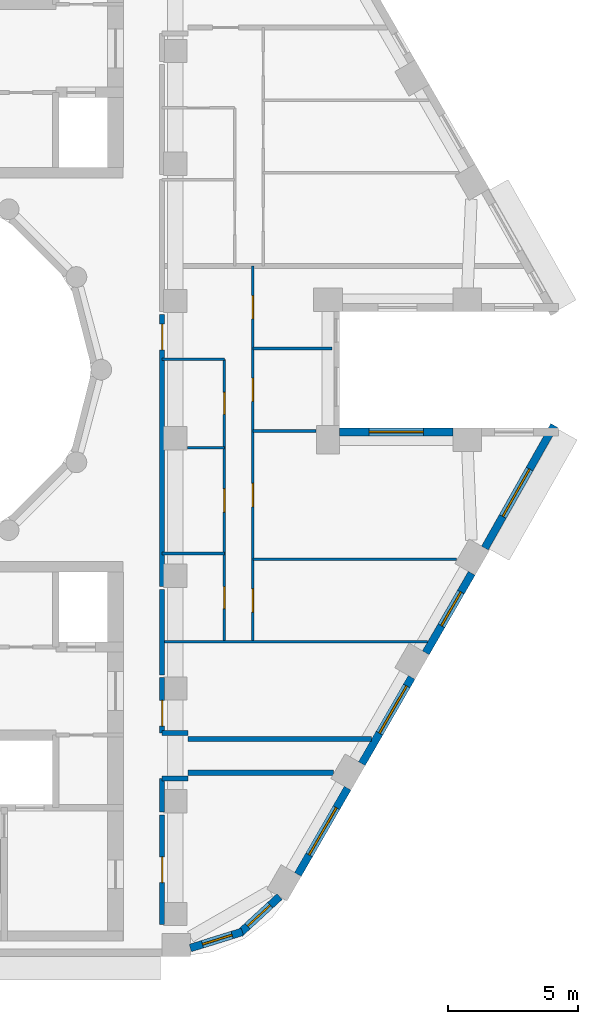
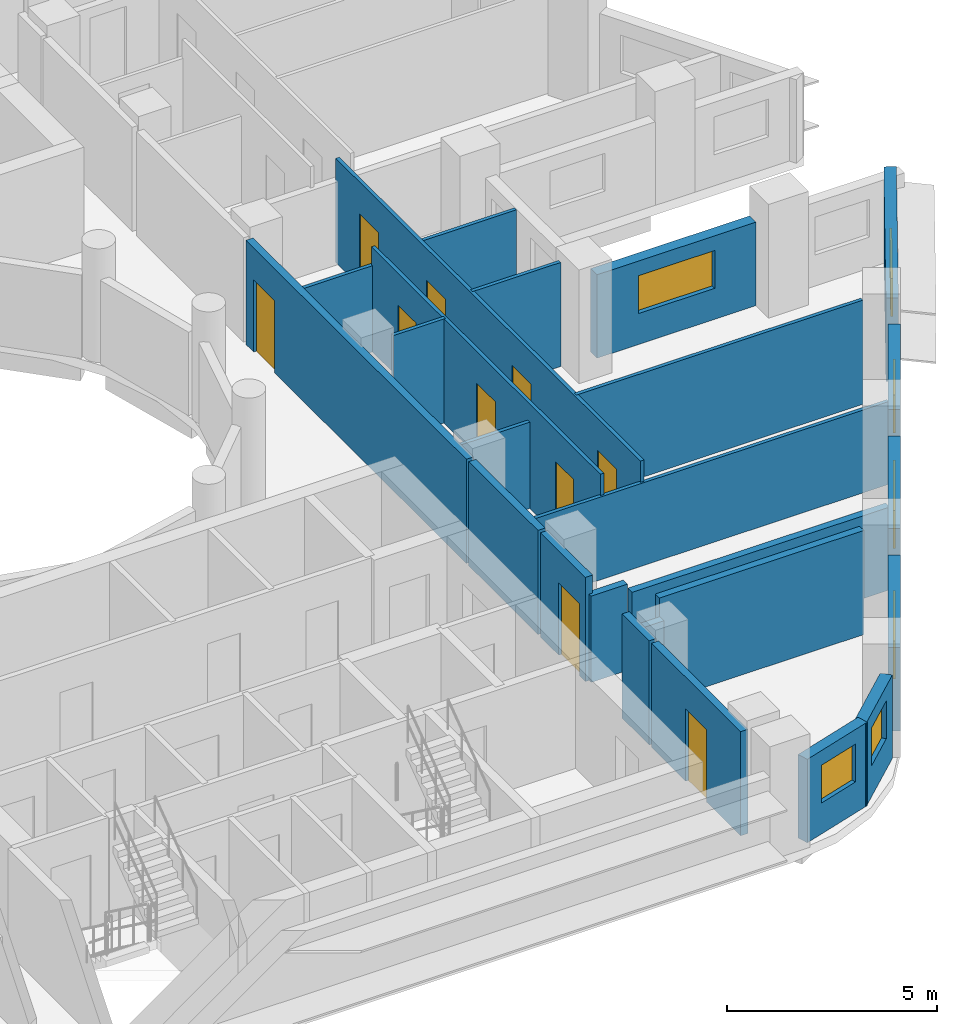
# One storey, part 5 of 12: 25 walls, 10 doors, 7 windows, 17 openings.
"""IFC4 building model written with IfcOpenShell, lengths in metres."""

from ifc_helpers import new_model, si_unit, direction, frame, frame_2d, origin, place, context, subcontext, project, spatial, rectangle, extrude, material, layer, layer_set, type_object, element, fill, save


model = new_model("IFC4")

# Units and contexts
model_context = context("Model", 3, precision=1e-05, world=origin(), true_north=direction((0.0, 1.0)))
body_context = subcontext(model_context, "Body", "Model", "MODEL_VIEW")
ifc_project = project(units=[si_unit("LENGTHUNIT", "METRE"), si_unit("AREAUNIT", "SQUARE_METRE"), si_unit("VOLUMEUNIT", "CUBIC_METRE"), si_unit("PLANEANGLEUNIT", "RADIAN"), si_unit("MASSUNIT", "GRAM", prefix="KILO")], contexts=[model_context])

# Site, building, storey
site_placement = place(None, origin())
site = spatial("IfcSite", under=ifc_project, at=site_placement, CompositionType="ELEMENT")
building_placement = place(site_placement, origin())
building = spatial("IfcBuilding", under=site, at=building_placement, Name="Nakaniwa Court", CompositionType="ELEMENT")
storey_placement = place(building_placement, frame((0.0, 0.0, 255.89990234375)))
storey = spatial("IfcBuildingStorey", under=building, at=storey_placement, Name="L67", CompositionType="ELEMENT", Elevation=255.89990234375)

# Wall, opening, door
ifc_material_1 = material(Name="Acoustic double stud partition")
ifc_layer_1 = layer(ifc_material_1, 0.199951171875)
ifc_layer_set_1 = layer_set([ifc_layer_1], Name="Acoustic double stud partition")
wall_type_1 = type_object("IfcWallType", Name="Acoustic double stud partition 200", PredefinedType="PARTITIONING", material=ifc_layer_set_1)
wall_1_placement = place(storey_placement, frame((89.5, 62.822998046875, 0.0), z_axis=(0.0, 0.0, 1.0), x_axis=(0.0, -1.0, 0.0)))
wall_1 = element("IfcWall", 1, at=wall_1_placement, inside=storey, type_object=wall_type_1, Name="Partition PW-059", PredefinedType="PARTITIONING", context=body_context, shape_type="SweptSolid", body=[
    extrude(rectangle(XDim=4.236083984375, YDim=0.199951171875, at=frame_2d((2.1181640625, 0.0))), origin(), (0.0, 0.0, 1.0), 3.025146484375),
])
opening_1_placement = place(wall_1_placement, frame((1.617919921875, 0.0, 0.0)))
opening_1 = element("IfcOpeningElement", 2, at=opening_1_placement, cuts=wall_1, Name="Opening D-02-01", PredefinedType="OPENING", context=body_context, shape_type="SweptSolid", body=[
    extrude(rectangle(XDim=1.0, YDim=2.10009765625, at=frame_2d((0.5, 1.050048828125))), frame((0.0, 0.10986328125, 0.0), z_axis=(0.0, -1.0, 0.0), x_axis=(1.0, 0.0, 0.0)), (0.0, 0.0, 1.0), 0.219970703125),
])
ifc_material_2 = material(Name="Solid core timber door set, black veneer", Category="wood")
door_type_1 = type_object("IfcDoorType", Name="Internal door 1000", OperationType="NOTDEFINED", PredefinedType="DOOR", material=ifc_material_2)
door_1_placement = place(opening_1_placement, origin())
door_1 = element("IfcDoor", 3, at=door_1_placement, inside=storey, type_object=door_type_1, Name="Door D-02-01 L67-031", OperationType="SINGLE_SWING_RIGHT", OverallHeight=2.10009765625, OverallWidth=1.0, PredefinedType="DOOR", context=body_context, shape_type="SweptSolid", body=[
    extrude(rectangle(XDim=1.0, YDim=2.10009765625, at=frame_2d((0.5, 1.050048828125))), frame((0.0, 0.02490234375, 0.0), z_axis=(0.0, -1.0, 0.0), x_axis=(1.0, 0.0, 0.0)), (0.0, 0.0, 1.0), 0.050048828125),
])
fill(opening_1, door_1)

# Wall
wall_2_placement = place(storey_placement, frame((89.5, 62.93701171875, 0.0), z_axis=(0.0, 0.0, 1.0), x_axis=(0.0, 1.0, 0.0)))
element("IfcWall", 4, at=wall_2_placement, inside=storey, type_object=wall_type_1, Name="Partition PW-060", PredefinedType="PARTITIONING", context=body_context, shape_type="SweptSolid", body=[
    extrude(rectangle(XDim=1.291015625, YDim=0.199951171875, at=frame_2d((0.6455078125, 0.0))), origin(), (0.0, 0.0, 1.0), 3.025146484375),
])

# Wall, opening, door
wall_3_placement = place(storey_placement, frame((89.5, 68.113037109375, 0.0), z_axis=(0.0, 0.0, 1.0), x_axis=(0.0, -1.0, 0.0)))
wall_3 = element("IfcWall", 5, at=wall_3_placement, inside=storey, type_object=wall_type_1, Name="Partition PW-061", PredefinedType="PARTITIONING", context=body_context, shape_type="SweptSolid", body=[
    extrude(rectangle(XDim=2.14111328125, YDim=0.199951171875, at=frame_2d((1.070556640625, 0.0))), origin(), (0.0, 0.0, 1.0), 3.025146484375),
])
opening_2_placement = place(wall_3_placement, frame((0.87109375, 0.0, 0.0)))
opening_2 = element("IfcOpeningElement", 6, at=opening_2_placement, cuts=wall_3, Name="Opening D-02-03", PredefinedType="OPENING", context=body_context, shape_type="SweptSolid", body=[
    extrude(rectangle(XDim=1.0, YDim=2.10009765625, at=frame_2d((0.5, 1.050048828125))), frame((0.0, 0.10986328125, 0.0), z_axis=(0.0, -1.0, 0.0), x_axis=(1.0, 0.0, 0.0)), (0.0, 0.0, 1.0), 0.219970703125),
])
door_2_placement = place(opening_2_placement, origin())
door_2 = element("IfcDoor", 7, at=door_2_placement, inside=storey, type_object=door_type_1, Name="Door D-02-03 L67-059", OperationType="SINGLE_SWING_RIGHT", OverallHeight=2.10009765625, OverallWidth=1.0, PredefinedType="DOOR", context=body_context, shape_type="SweptSolid", body=[
    extrude(rectangle(XDim=1.0, YDim=2.10009765625, at=frame_2d((0.5, 1.050048828125))), frame((0.0, 0.02490234375, 0.0), z_axis=(0.0, -1.0, 0.0), x_axis=(1.0, 0.0, 0.0)), (0.0, 0.0, 1.0), 0.050048828125),
])
fill(opening_2, door_2)

# Wall
wall_4_placement = place(storey_placement, frame((89.5, 68.22705078125, 0.0), z_axis=(0.0, 0.0, 1.0), x_axis=(0.0, 1.0, 0.0)))
element("IfcWall", 8, at=wall_4_placement, inside=storey, type_object=wall_type_1, Name="Partition PW-062", PredefinedType="PARTITIONING", context=body_context, shape_type="SweptSolid", body=[
    extrude(rectangle(XDim=3.2958984375, YDim=0.199951171875, at=frame_2d((1.64794921875, 0.0))), origin(), (0.0, 0.0, 1.0), 3.025146484375),
])

# Wall, opening, door
wall_5_placement = place(storey_placement, frame((89.5, 82.123046875, 0.0), z_axis=(0.0, 0.0, 1.0), x_axis=(0.0, -1.0, 0.0)))
wall_5 = element("IfcWall", 9, at=wall_5_placement, inside=storey, type_object=wall_type_1, Name="Partition PW-063", PredefinedType="PARTITIONING", context=body_context, shape_type="SweptSolid", body=[
    extrude(rectangle(XDim=10.486083984375, YDim=0.199951171875, at=frame_2d((5.2431640625, 0.0))), origin(), (0.0, 0.0, 1.0), 3.025146484375),
])
opening_3_placement = place(wall_5_placement, frame((0.363037109375, 0.0, 0.0)))
opening_3 = element("IfcOpeningElement", 10, at=opening_3_placement, cuts=wall_5, Name="Opening D-01-01", PredefinedType="OPENING", context=body_context, shape_type="SweptSolid", body=[
    extrude(rectangle(XDim=1.0, YDim=2.10009765625, at=frame_2d((0.5, 1.050048828125))), frame((0.0, 0.10986328125, 0.0), z_axis=(0.0, -1.0, 0.0), x_axis=(1.0, 0.0, 0.0)), (0.0, 0.0, 1.0), 0.219970703125),
])
door_type_2 = type_object("IfcDoorType", Name="Flat entrance door 1000", OperationType="NOTDEFINED", PredefinedType="DOOR", material=ifc_material_2)
door_3_placement = place(opening_3_placement, origin())
door_3 = element("IfcDoor", 11, at=door_3_placement, inside=storey, type_object=door_type_2, Name="Door D-01-01 L67-032", OperationType="SINGLE_SWING_LEFT", OverallHeight=2.10009765625, OverallWidth=1.0, PredefinedType="DOOR", context=body_context, shape_type="SweptSolid", body=[
    extrude(rectangle(XDim=1.0, YDim=2.10009765625, at=frame_2d((0.5, 1.050048828125))), frame((0.0, 0.02490234375, 0.0), z_axis=(0.0, -1.0, 0.0), x_axis=(1.0, 0.0, 0.0)), (0.0, 0.0, 1.0), 0.050048828125),
])
fill(opening_3, door_3)

# Walls
wall_6_placement = place(storey_placement, frame((90.5, 64.449951171875, 0.0), z_axis=(0.0, 0.0, 1.0), x_axis=(1.0, 0.0, 0.0)))
element("IfcWall", 12, at=wall_6_placement, inside=storey, type_object=wall_type_1, Name="Partition PW-079", PredefinedType="PARTITIONING", context=body_context, shape_type="SweptSolid", body=[
    extrude(rectangle(XDim=5.61669921875, YDim=0.199951171875, at=frame_2d((2.808349609375, 0.0))), origin(), (0.0, 0.0, 1.0), 3.025146484375),
])
for number, where, z_axis, x_axis, name in (
    (13, (89.5, 64.22509765625, 0.0), (0.0, 0.0, 1.0), (1.0, 0.0, 0.0), "Partition PW-081"),
    (14, (89.5, 65.97509765625, 0.0), (0.0, 0.0, 1.0), (1.0, 0.0, 0.0), "Partition PW-083"),
):
    element("IfcWall", number, at=place(storey_placement, frame(where, z_axis=z_axis, x_axis=x_axis)), inside=storey, type_object=wall_type_1, Name=name, PredefinedType="PARTITIONING", context=body_context, shape_type="SweptSolid", body=[
        extrude(rectangle(XDim=1.0, YDim=0.199951171875, at=frame_2d((0.5, 0.0))), origin(), (0.0, 0.0, 1.0), 2.505126953125),
    ])
wall_7_placement = place(storey_placement, frame((90.5, 65.75, 0.0), z_axis=(0.0, 0.0, 1.0), x_axis=(1.0, 0.0, 0.0)))
element("IfcWall", 15, at=wall_7_placement, inside=storey, type_object=wall_type_1, Name="Partition PW-085", PredefinedType="PARTITIONING", context=body_context, shape_type="SweptSolid", body=[
    extrude(rectangle(XDim=7.080322265625, YDim=0.199951171875, at=frame_2d((3.5400390625, 0.0))), origin(), (0.0, 0.0, 1.0), 2.405029296875),
])

# Wall, opening, window
ifc_material_3 = material(Name="Charcoal ceramic cladding")
ifc_layer_2 = layer(ifc_material_3, 0.02, Name="Ceramic cladding")
ifc_material_4 = material(Name="Ventilated air cavity")
ifc_layer_3 = layer(ifc_material_4, 0.04, ventilated=True, Name="Ventilated cavity")
ifc_material_5 = material(Name="Mineral wool insulation")
ifc_layer_4 = layer(ifc_material_5, 0.1, Name="Insulation")
ifc_material_6 = material(Name="Cement bonded sheathing board")
ifc_layer_5 = layer(ifc_material_6, 0.012, Name="Sheathing")
ifc_material_7 = material(Name="Cold-formed galvanised stud frame with mineral wool infill")
ifc_layer_6 = layer(ifc_material_7, 0.1, Name="Stud frame")
ifc_material_8 = material(Name="Fire-rated gypsum plasterboard lining")
ifc_layer_7 = layer(ifc_material_8, 0.028, Name="Lining")
ifc_layer_set_2 = layer_set([ifc_layer_2, ifc_layer_3, ifc_layer_4, ifc_layer_5, ifc_layer_6, ifc_layer_7], Name="Charcoal ceramic faced external wall system")
wall_type_2 = type_object("IfcWallType", Name="Black ceramic faced external wall 300", PredefinedType="SOLIDWALL", material=ifc_layer_set_2)
wall_8_placement = place(storey_placement, frame((90.585693359375, 57.68408203125, 0.0), z_axis=(0.0, 0.0, 1.0), x_axis=(0.954941641926, 0.296793632875, 0.0)))
wall_8 = element("IfcWall", 16, at=wall_8_placement, inside=storey, type_object=wall_type_2, Name="L67 external wall 27", PredefinedType="SOLIDWALL", context=body_context, shape_type="SweptSolid", body=[
    extrude(rectangle(XDim=2.1025390625, YDim=0.300048828125, at=frame_2d((1.05126953125, 0.0))), origin(), (0.0, 0.0, 1.0), 2.425048828125),
])
opening_4_placement = place(wall_8_placement, frame((0.490234375, 0.0, 0.89990234375)))
opening_4 = element("IfcOpeningElement", 17, at=opening_4_placement, cuts=wall_8, Name="Opening W6.28", PredefinedType="OPENING", context=body_context, shape_type="SweptSolid", body=[
    extrude(rectangle(XDim=1.199951171875, YDim=1.10009765625, at=frame_2d((0.60009765625, 0.550048828125))), frame((0.0, 0.159912109375, 0.0), z_axis=(0.0, -1.0, 0.0), x_axis=(1.0, 0.0, 0.0)), (0.0, 0.0, 1.0), 0.320068359375),
])
ifc_material_9 = material(Name="Black anodised aluminium frame with dark low-E laminated double glazing", Category="aluminium")
window_type_1 = type_object("IfcWindowType", Name="Dark glass window 1200x1100 sill 900", PartitioningType="SINGLE_PANEL", PredefinedType="WINDOW", material=ifc_material_9)
window_1_placement = place(opening_4_placement, origin())
window_1 = element("IfcWindow", 18, at=window_1_placement, inside=storey, type_object=window_type_1, Name="L67 habitable room window 27-0", OverallHeight=1.10009765625, OverallWidth=1.199951171875, PartitioningType="SINGLE_PANEL", PredefinedType="WINDOW", context=body_context, shape_type="SweptSolid", body=[
    extrude(rectangle(XDim=1.199951171875, YDim=1.10009765625, at=frame_2d((0.60009765625, 0.550048828125))), frame((0.0, 0.030029296875, 0.0), z_axis=(0.0, -1.0, 0.0), x_axis=(1.0, 0.0, 0.0)), (0.0, 0.0, 1.0), 0.06005859375),
])
fill(opening_4, window_1)

wall_9_placement = place(storey_placement, frame((92.489501953125, 58.247314453125, 0.0), z_axis=(0.0, 0.0, 1.0), x_axis=(0.734830223907, 0.678251090698, 0.0)))
wall_9 = element("IfcWall", 19, at=wall_9_placement, inside=storey, type_object=wall_type_2, Name="L67 external wall 28", PredefinedType="SOLIDWALL", context=body_context, shape_type="SweptSolid", body=[
    extrude(rectangle(XDim=2.09716796875, YDim=0.300048828125, at=frame_2d((1.048583984375, 0.0))), origin(), (0.0, 0.0, 1.0), 2.425048828125),
])
opening_5_placement = place(wall_9_placement, frame((0.409423828125, 0.0, 0.89990234375)))
opening_5 = element("IfcOpeningElement", 20, at=opening_5_placement, cuts=wall_9, Name="Opening W6.29", PredefinedType="OPENING", context=body_context, shape_type="SweptSolid", body=[
    extrude(rectangle(XDim=1.199951171875, YDim=1.10009765625, at=frame_2d((0.60009765625, 0.550048828125))), frame((0.0, 0.159912109375, 0.0), z_axis=(0.0, -1.0, 0.0), x_axis=(1.0, 0.0, 0.0)), (0.0, 0.0, 1.0), 0.320068359375),
])
window_2_placement = place(opening_5_placement, origin())
window_2 = element("IfcWindow", 21, at=window_2_placement, inside=storey, type_object=window_type_1, Name="L67 habitable room window 28-0", OverallHeight=1.10009765625, OverallWidth=1.199951171875, PartitioningType="SINGLE_PANEL", PredefinedType="WINDOW", context=body_context, shape_type="SweptSolid", body=[
    extrude(rectangle(XDim=1.199951171875, YDim=1.10009765625, at=frame_2d((0.60009765625, 0.550048828125))), frame((0.0, 0.030029296875, 0.0), z_axis=(0.0, -1.0, 0.0), x_axis=(1.0, 0.0, 0.0)), (0.0, 0.0, 1.0), 0.06005859375),
])
fill(opening_5, window_2)

wall_10_placement = place(storey_placement, frame((94.73583984375, 60.523193359375, 0.0), z_axis=(0.0, 0.0, 1.0), x_axis=(0.499984490703, 0.866034357896, 0.0)))
wall_10 = element("IfcWall", 22, at=wall_10_placement, inside=storey, type_object=wall_type_2, Name="L67 external wall 29", PredefinedType="SOLIDWALL", context=body_context, shape_type="SweptSolid", body=[
    extrude(rectangle(XDim=3.84423828125, YDim=0.300048828125, at=frame_2d((1.922119140625, 0.0))), origin(), (0.0, 0.0, 1.0), 2.425048828125),
])
opening_6_placement = place(wall_10_placement, frame((0.872314453125, 0.0, 0.89990234375)))
opening_6 = element("IfcOpeningElement", 23, at=opening_6_placement, cuts=wall_10, Name="Opening W7.30", PredefinedType="OPENING", context=body_context, shape_type="SweptSolid", body=[
    extrude(rectangle(XDim=2.10009765625, YDim=1.10009765625, at=frame_2d((1.050048828125, 0.550048828125))), frame((0.0, 0.159912109375, 0.0), z_axis=(0.0, -1.0, 0.0), x_axis=(1.0, 0.0, 0.0)), (0.0, 0.0, 1.0), 0.320068359375),
])
window_type_2 = type_object("IfcWindowType", Name="Dark glass window 2100x1100 sill 900", PartitioningType="SINGLE_PANEL", PredefinedType="WINDOW", material=ifc_material_9)
window_3_placement = place(opening_6_placement, origin())
window_3 = element("IfcWindow", 24, at=window_3_placement, inside=storey, type_object=window_type_2, Name="L67 habitable room window 29-0", OverallHeight=1.10009765625, OverallWidth=2.10009765625, PartitioningType="SINGLE_PANEL", PredefinedType="WINDOW", context=body_context, shape_type="SweptSolid", body=[
    extrude(rectangle(XDim=2.10009765625, YDim=1.10009765625, at=frame_2d((1.050048828125, 0.550048828125))), frame((0.0, 0.030029296875, 0.0), z_axis=(0.0, -1.0, 0.0), x_axis=(1.0, 0.0, 0.0)), (0.0, 0.0, 1.0), 0.06005859375),
])
fill(opening_6, window_3)

wall_11_placement = place(storey_placement, frame((97.2041015625, 64.798095703125, 0.0), z_axis=(0.0, 0.0, 1.0), x_axis=(0.499984490703, 0.866034357896, 0.0)))
wall_11 = element("IfcWall", 25, at=wall_11_placement, inside=storey, type_object=wall_type_2, Name="L67 external wall 30", PredefinedType="SOLIDWALL", context=body_context, shape_type="SweptSolid", body=[
    extrude(rectangle(XDim=3.84423828125, YDim=0.300048828125, at=frame_2d((1.922119140625, 0.0))), origin(), (0.0, 0.0, 1.0), 2.425048828125),
])
opening_7_placement = place(wall_11_placement, frame((1.360595703125, 0.0, 0.89990234375)))
opening_7 = element("IfcOpeningElement", 26, at=opening_7_placement, cuts=wall_11, Name="Opening W7.31", PredefinedType="OPENING", context=body_context, shape_type="SweptSolid", body=[
    extrude(rectangle(XDim=2.10009765625, YDim=1.10009765625, at=frame_2d((1.050048828125, 0.550048828125))), frame((0.0, 0.159912109375, 0.0), z_axis=(0.0, -1.0, 0.0), x_axis=(1.0, 0.0, 0.0)), (0.0, 0.0, 1.0), 0.320068359375),
])
window_4_placement = place(opening_7_placement, origin())
window_4 = element("IfcWindow", 27, at=window_4_placement, inside=storey, type_object=window_type_2, Name="L67 habitable room window 30-1", OverallHeight=1.10009765625, OverallWidth=2.10009765625, PartitioningType="SINGLE_PANEL", PredefinedType="WINDOW", context=body_context, shape_type="SweptSolid", body=[
    extrude(rectangle(XDim=2.10009765625, YDim=1.10009765625, at=frame_2d((1.050048828125, 0.550048828125))), frame((0.0, 0.030029296875, 0.0), z_axis=(0.0, -1.0, 0.0), x_axis=(1.0, 0.0, 0.0)), (0.0, 0.0, 1.0), 0.06005859375),
])
fill(opening_7, window_4)

wall_12_placement = place(storey_placement, frame((99.672119140625, 69.072998046875, 0.0), z_axis=(0.0, 0.0, 1.0), x_axis=(0.500010404316, 0.866019396766, 0.0)))
wall_12 = element("IfcWall", 28, at=wall_12_placement, inside=storey, type_object=wall_type_2, Name="L67 external wall 31", PredefinedType="SOLIDWALL", context=body_context, shape_type="SweptSolid", body=[
    extrude(rectangle(XDim=3.54736328125, YDim=0.300048828125, at=frame_2d((1.773681640625, 0.0))), origin(), (0.0, 0.0, 1.0), 2.425048828125),
])
opening_8_placement = place(wall_12_placement, frame((1.208984375, 0.0, 0.89990234375)))
opening_8 = element("IfcOpeningElement", 29, at=opening_8_placement, cuts=wall_12, Name="Opening W5.32", PredefinedType="OPENING", context=body_context, shape_type="SweptSolid", body=[
    extrude(rectangle(XDim=1.5, YDim=1.10009765625, at=frame_2d((0.75, 0.550048828125))), frame((0.0, 0.159912109375, 0.0), z_axis=(0.0, -1.0, 0.0), x_axis=(1.0, 0.0, 0.0)), (0.0, 0.0, 1.0), 0.320068359375),
])
window_type_3 = type_object("IfcWindowType", Name="Dark glass window 1500x1100 sill 900", PartitioningType="SINGLE_PANEL", PredefinedType="WINDOW", material=ifc_material_9)
window_5_placement = place(opening_8_placement, origin())
window_5 = element("IfcWindow", 30, at=window_5_placement, inside=storey, type_object=window_type_3, Name="L67 bedroom window 31-1", OverallHeight=1.10009765625, OverallWidth=1.5, PartitioningType="SINGLE_PANEL", PredefinedType="WINDOW", context=body_context, shape_type="SweptSolid", body=[
    extrude(rectangle(XDim=1.5, YDim=1.10009765625, at=frame_2d((0.75, 0.550048828125))), frame((0.0, 0.030029296875, 0.0), z_axis=(0.0, -1.0, 0.0), x_axis=(1.0, 0.0, 0.0)), (0.0, 0.0, 1.0), 0.06005859375),
])
fill(opening_8, window_5)

wall_13_placement = place(storey_placement, frame((101.951904296875, 73.113525390625, 0.0), z_axis=(0.0, 0.0, 1.0), x_axis=(0.492080931903, 0.870549456641, 0.0)))
wall_13 = element("IfcWall", 31, at=wall_13_placement, inside=storey, type_object=wall_type_2, Name="L67 external wall 32", PredefinedType="SOLIDWALL", context=body_context, shape_type="SweptSolid", body=[
    extrude(rectangle(XDim=5.436767578125, YDim=0.300048828125, at=frame_2d((2.71826171875, 0.0))), origin(), (0.0, 0.0, 1.0), 2.425048828125),
])
opening_9_placement = place(wall_13_placement, frame((1.405517578125, 0.0, 0.89990234375)))
opening_9 = element("IfcOpeningElement", 32, at=opening_9_placement, cuts=wall_13, Name="Opening W7.33", PredefinedType="OPENING", context=body_context, shape_type="SweptSolid", body=[
    extrude(rectangle(XDim=2.10009765625, YDim=1.10009765625, at=frame_2d((1.050048828125, 0.550048828125))), frame((0.0, 0.159912109375, 0.0), z_axis=(0.0, -1.0, 0.0), x_axis=(1.0, 0.0, 0.0)), (0.0, 0.0, 1.0), 0.320068359375),
])
window_6_placement = place(opening_9_placement, origin())
window_6 = element("IfcWindow", 33, at=window_6_placement, inside=storey, type_object=window_type_2, Name="L67 living window 32-0", OverallHeight=1.10009765625, OverallWidth=2.10009765625, PartitioningType="SINGLE_PANEL", PredefinedType="WINDOW", context=body_context, shape_type="SweptSolid", body=[
    extrude(rectangle(XDim=2.10009765625, YDim=1.10009765625, at=frame_2d((1.050048828125, 0.550048828125))), frame((0.0, 0.030029296875, 0.0), z_axis=(0.0, -1.0, 0.0), x_axis=(1.0, 0.0, 0.0)), (0.0, 0.0, 1.0), 0.06005859375),
])
fill(opening_9, window_6)

wall_14_placement = place(storey_placement, frame((100.718017578125, 77.60009765625, 0.0), z_axis=(0.0, 0.0, 1.0), x_axis=(-1.0, 0.0, 0.0)))
wall_14 = element("IfcWall", 34, at=wall_14_placement, inside=storey, type_object=wall_type_2, Name="L67 external wall 34", PredefinedType="SOLIDWALL", context=body_context, shape_type="SweptSolid", body=[
    extrude(rectangle(XDim=4.37255859375, YDim=0.300048828125, at=frame_2d((2.186279296875, 0.0))), origin(), (0.0, 0.0, 1.0), 2.425048828125),
])
opening_10_placement = place(wall_14_placement, frame((1.13623046875, 0.0, 0.89990234375)))
opening_10 = element("IfcOpeningElement", 35, at=opening_10_placement, cuts=wall_14, Name="Opening W7.35", PredefinedType="OPENING", context=body_context, shape_type="SweptSolid", body=[
    extrude(rectangle(XDim=2.10009765625, YDim=1.10009765625, at=frame_2d((1.050048828125, 0.550048828125))), frame((0.0, 0.159912109375, 0.0), z_axis=(0.0, -1.0, 0.0), x_axis=(1.0, 0.0, 0.0)), (0.0, 0.0, 1.0), 0.320068359375),
])
window_7_placement = place(opening_10_placement, origin())
window_7 = element("IfcWindow", 36, at=window_7_placement, inside=storey, type_object=window_type_2, Name="L67 living window 34-0", OverallHeight=1.10009765625, OverallWidth=2.10009765625, PartitioningType="SINGLE_PANEL", PredefinedType="WINDOW", context=body_context, shape_type="SweptSolid", body=[
    extrude(rectangle(XDim=2.10009765625, YDim=1.10009765625, at=frame_2d((1.050048828125, 0.550048828125))), frame((0.0, 0.030029296875, 0.0), z_axis=(0.0, -1.0, 0.0), x_axis=(1.0, 0.0, 0.0)), (0.0, 0.0, 1.0), 0.06005859375),
])
fill(opening_10, window_7)

# Wall
ifc_material_10 = material(Name="Single stud plasterboard partition")
ifc_layer_8 = layer(ifc_material_10, 0.10009765625)
ifc_layer_set_3 = layer_set([ifc_layer_8], Name="Single stud plasterboard partition")
wall_type_3 = type_object("IfcWallType", Name="Single stud plasterboard partition 100", PredefinedType="PARTITIONING", material=ifc_layer_set_3)
wall_15_placement = place(storey_placement, frame((89.5, 72.906005859375, 0.0), z_axis=(0.0, 0.0, 1.0), x_axis=(1.0, 0.0, 0.0)))
element("IfcWall", 37, at=wall_15_placement, inside=storey, type_object=wall_type_3, Name="Partition PW-096", PredefinedType="PARTITIONING", context=body_context, shape_type="SweptSolid", body=[
    extrude(rectangle(XDim=2.39990234375, YDim=0.10009765625, at=frame_2d((1.199951171875, 0.0))), origin(), (0.0, 0.0, 1.0), 2.505126953125),
])

# Wall, openings, doors
wall_16_placement = place(storey_placement, frame((91.89990234375, 69.5, 0.0), z_axis=(0.0, 0.0, 1.0), x_axis=(0.0, 1.0, 0.0)))
wall_16 = element("IfcWall", 38, at=wall_16_placement, inside=storey, type_object=wall_type_3, Name="Partition PW-097", PredefinedType="PARTITIONING", context=body_context, shape_type="SweptSolid", body=[
    extrude(rectangle(XDim=10.89990234375, YDim=0.10009765625, at=frame_2d((5.449951171875, 0.0))), origin(), (0.0, 0.0, 1.0), 3.025146484375),
])
opening_11_placement = place(wall_16_placement, frame((1.278076171875, 0.0, 0.0)))
opening_11 = element("IfcOpeningElement", 39, at=opening_11_placement, cuts=wall_16, Name="Opening D-03-01", PredefinedType="OPENING", context=body_context, shape_type="SweptSolid", body=[
    extrude(rectangle(XDim=0.85009765625, YDim=2.10009765625, at=frame_2d((0.425048828125, 1.050048828125))), frame((0.0, 0.06005859375, 0.0), z_axis=(0.0, -1.0, 0.0), x_axis=(1.0, 0.0, 0.0)), (0.0, 0.0, 1.0), 0.1201171875),
])
opening_12_placement = place(wall_16_placement, frame((5.0, 0.0, 0.0)))
opening_12 = element("IfcOpeningElement", 40, at=opening_12_placement, cuts=wall_16, Name="Opening D-33-01", PredefinedType="OPENING", context=body_context, shape_type="SweptSolid", body=[
    extrude(rectangle(XDim=0.89990234375, YDim=2.10009765625, at=frame_2d((0.449951171875, 1.050048828125))), frame((0.0, 0.06005859375, 0.0), z_axis=(0.0, -1.0, 0.0), x_axis=(1.0, 0.0, 0.0)), (0.0, 0.0, 1.0), 0.1201171875),
])
opening_13_placement = place(wall_16_placement, frame((8.77197265625, 0.0, 0.0)))
opening_13 = element("IfcOpeningElement", 41, at=opening_13_placement, cuts=wall_16, Name="Opening D-03-02", PredefinedType="OPENING", context=body_context, shape_type="SweptSolid", body=[
    extrude(rectangle(XDim=0.85009765625, YDim=2.10009765625, at=frame_2d((0.425048828125, 1.050048828125))), frame((0.0, 0.06005859375, 0.0), z_axis=(0.0, -1.0, 0.0), x_axis=(1.0, 0.0, 0.0)), (0.0, 0.0, 1.0), 0.1201171875),
])
ifc_material_11 = material(Name="Moisture sealed timber door set", Category="wood")
door_type_3 = type_object("IfcDoorType", Name="Bathroom door 850", OperationType="NOTDEFINED", PredefinedType="DOOR", material=ifc_material_11)
door_4_placement = place(opening_11_placement, origin())
door_4 = element("IfcDoor", 42, at=door_4_placement, inside=storey, type_object=door_type_3, Name="Door D-03-01 L67-033", OperationType="SINGLE_SWING_RIGHT", OverallHeight=2.10009765625, OverallWidth=0.85009765625, PredefinedType="DOOR", context=body_context, shape_type="SweptSolid", body=[
    extrude(rectangle(XDim=0.85009765625, YDim=2.10009765625, at=frame_2d((0.425048828125, 1.050048828125))), frame((0.0, 0.02490234375, 0.0), z_axis=(0.0, -1.0, 0.0), x_axis=(1.0, 0.0, 0.0)), (0.0, 0.0, 1.0), 0.050048828125),
])
fill(opening_11, door_4)
door_5_placement = place(opening_13_placement, origin())
door_5 = element("IfcDoor", 43, at=door_5_placement, inside=storey, type_object=door_type_3, Name="Door D-03-02 L67-035", OperationType="SINGLE_SWING_RIGHT", OverallHeight=2.10009765625, OverallWidth=0.85009765625, PredefinedType="DOOR", context=body_context, shape_type="SweptSolid", body=[
    extrude(rectangle(XDim=0.85009765625, YDim=2.10009765625, at=frame_2d((0.425048828125, 1.050048828125))), frame((0.0, 0.02490234375, 0.0), z_axis=(0.0, -1.0, 0.0), x_axis=(1.0, 0.0, 0.0)), (0.0, 0.0, 1.0), 0.050048828125),
])
fill(opening_13, door_5)
door_type_4 = type_object("IfcDoorType", Name="Internal door 900", OperationType="NOTDEFINED", PredefinedType="DOOR", material=ifc_material_2)
door_6_placement = place(opening_12_placement, origin())
door_6 = element("IfcDoor", 44, at=door_6_placement, inside=storey, type_object=door_type_4, Name="Door D-33-01 L67-034", OperationType="SINGLE_SWING_LEFT", OverallHeight=2.10009765625, OverallWidth=0.89990234375, PredefinedType="DOOR", context=body_context, shape_type="SweptSolid", body=[
    extrude(rectangle(XDim=0.89990234375, YDim=2.10009765625, at=frame_2d((0.449951171875, 1.050048828125))), frame((0.0, 0.02490234375, 0.0), z_axis=(0.0, -1.0, 0.0), x_axis=(1.0, 0.0, 0.0)), (0.0, 0.0, 1.0), 0.050048828125),
])
fill(opening_12, door_6)

# Walls
wall_17_placement = place(storey_placement, frame((89.5, 69.5, 0.0), z_axis=(0.0, 0.0, 1.0), x_axis=(1.0, 0.0, 0.0)))
element("IfcWall", 45, at=wall_17_placement, inside=storey, type_object=wall_type_3, Name="Partition PW-098", PredefinedType="PARTITIONING", context=body_context, shape_type="SweptSolid", body=[
    extrude(rectangle(XDim=10.245361328125, YDim=0.10009765625, at=frame_2d((5.12255859375, 0.0))), origin(), (0.0, 0.0, 1.0), 2.405029296875),
])
wall_18_placement = place(storey_placement, frame((90.469970703125, 76.993896484375, 0.0), z_axis=(0.0, 0.0, 1.0), x_axis=(1.0, 0.0, 0.0)))
element("IfcWall", 46, at=wall_18_placement, inside=storey, type_object=wall_type_3, Name="Partition PW-099", PredefinedType="PARTITIONING", context=body_context, shape_type="SweptSolid", body=[
    extrude(rectangle(XDim=1.429931640625, YDim=0.10009765625, at=frame_2d((0.71484375, 0.0))), origin(), (0.0, 0.0, 1.0), 3.025146484375),
])
wall_19_placement = place(storey_placement, frame((89.5, 80.39990234375, 0.0), z_axis=(0.0, 0.0, 1.0), x_axis=(1.0, 0.0, 0.0)))
element("IfcWall", 47, at=wall_19_placement, inside=storey, type_object=wall_type_3, Name="Partition PW-100", PredefinedType="PARTITIONING", context=body_context, shape_type="SweptSolid", body=[
    extrude(rectangle(XDim=2.39990234375, YDim=0.10009765625, at=frame_2d((1.199951171875, 0.0))), origin(), (0.0, 0.0, 1.0), 2.505126953125),
])

# Wall, openings, doors
wall_20_placement = place(storey_placement, frame((93.0, 84.0, 0.0), z_axis=(0.0, 0.0, 1.0), x_axis=(0.0, -1.0, 0.0)))
wall_20 = element("IfcWall", 48, at=wall_20_placement, inside=storey, type_object=wall_type_3, Name="Partition PW-101", PredefinedType="PARTITIONING", context=body_context, shape_type="SweptSolid", body=[
    extrude(rectangle(XDim=14.5, YDim=0.10009765625, at=frame_2d((7.25, 0.0))), origin(), (0.0, 0.0, 1.0), 3.025146484375),
])
opening_14_placement = place(wall_20_placement, frame((12.458984375, 0.0, 0.0)))
opening_14 = element("IfcOpeningElement", 49, at=opening_14_placement, cuts=wall_20, Name="Opening D-33-02", PredefinedType="OPENING", context=body_context, shape_type="SweptSolid", body=[
    extrude(rectangle(XDim=0.89990234375, YDim=2.10009765625, at=frame_2d((0.449951171875, 1.050048828125))), frame((0.0, 0.06005859375, 0.0), z_axis=(0.0, -1.0, 0.0), x_axis=(1.0, 0.0, 0.0)), (0.0, 0.0, 1.0), 0.1201171875),
])
opening_15_placement = place(wall_20_placement, frame((8.39111328125, 0.0, 0.0)))
opening_15 = element("IfcOpeningElement", 50, at=opening_15_placement, cuts=wall_20, Name="Opening D-33-03", PredefinedType="OPENING", context=body_context, shape_type="SweptSolid", body=[
    extrude(rectangle(XDim=0.89990234375, YDim=2.10009765625, at=frame_2d((0.449951171875, 1.050048828125))), frame((0.0, 0.06005859375, 0.0), z_axis=(0.0, -1.0, 0.0), x_axis=(1.0, 0.0, 0.0)), (0.0, 0.0, 1.0), 0.1201171875),
])
opening_16_placement = place(wall_20_placement, frame((4.323974609375, 0.0, 0.0)))
opening_16 = element("IfcOpeningElement", 51, at=opening_16_placement, cuts=wall_20, Name="Opening D-33-04", PredefinedType="OPENING", context=body_context, shape_type="SweptSolid", body=[
    extrude(rectangle(XDim=0.89990234375, YDim=2.10009765625, at=frame_2d((0.449951171875, 1.050048828125))), frame((0.0, 0.06005859375, 0.0), z_axis=(0.0, -1.0, 0.0), x_axis=(1.0, 0.0, 0.0)), (0.0, 0.0, 1.0), 0.1201171875),
])
opening_17_placement = place(wall_20_placement, frame((1.14111328125, 0.0, 0.0)))
opening_17 = element("IfcOpeningElement", 52, at=opening_17_placement, cuts=wall_20, Name="Opening D-33-05", PredefinedType="OPENING", context=body_context, shape_type="SweptSolid", body=[
    extrude(rectangle(XDim=0.89990234375, YDim=2.10009765625, at=frame_2d((0.449951171875, 1.050048828125))), frame((0.0, 0.06005859375, 0.0), z_axis=(0.0, -1.0, 0.0), x_axis=(1.0, 0.0, 0.0)), (0.0, 0.0, 1.0), 0.1201171875),
])
door_7_placement = place(opening_14_placement, origin())
door_7 = element("IfcDoor", 53, at=door_7_placement, inside=storey, type_object=door_type_4, Name="Door D-33-02 L67-036", OperationType="SINGLE_SWING_LEFT", OverallHeight=2.10009765625, OverallWidth=0.89990234375, PredefinedType="DOOR", context=body_context, shape_type="SweptSolid", body=[
    extrude(rectangle(XDim=0.89990234375, YDim=2.10009765625, at=frame_2d((0.449951171875, 1.050048828125))), frame((0.0, 0.02490234375, 0.0), z_axis=(0.0, -1.0, 0.0), x_axis=(1.0, 0.0, 0.0)), (0.0, 0.0, 1.0), 0.050048828125),
])
fill(opening_14, door_7)
door_8_placement = place(opening_15_placement, origin())
door_8 = element("IfcDoor", 54, at=door_8_placement, inside=storey, type_object=door_type_4, Name="Door D-33-03 L67-037", OperationType="SINGLE_SWING_RIGHT", OverallHeight=2.10009765625, OverallWidth=0.89990234375, PredefinedType="DOOR", context=body_context, shape_type="SweptSolid", body=[
    extrude(rectangle(XDim=0.89990234375, YDim=2.10009765625, at=frame_2d((0.449951171875, 1.050048828125))), frame((0.0, 0.02490234375, 0.0), z_axis=(0.0, -1.0, 0.0), x_axis=(1.0, 0.0, 0.0)), (0.0, 0.0, 1.0), 0.050048828125),
])
fill(opening_15, door_8)
door_9_placement = place(opening_16_placement, origin())
door_9 = element("IfcDoor", 55, at=door_9_placement, inside=storey, type_object=door_type_4, Name="Door D-33-04 L67-038", OperationType="SINGLE_SWING_LEFT", OverallHeight=2.10009765625, OverallWidth=0.89990234375, PredefinedType="DOOR", context=body_context, shape_type="SweptSolid", body=[
    extrude(rectangle(XDim=0.89990234375, YDim=2.10009765625, at=frame_2d((0.449951171875, 1.050048828125))), frame((0.0, 0.02490234375, 0.0), z_axis=(0.0, -1.0, 0.0), x_axis=(1.0, 0.0, 0.0)), (0.0, 0.0, 1.0), 0.050048828125),
])
fill(opening_16, door_9)
door_10_placement = place(opening_17_placement, origin())
door_10 = element("IfcDoor", 56, at=door_10_placement, inside=storey, type_object=door_type_4, Name="Door D-33-05 L67-039", OperationType="SINGLE_SWING_RIGHT", OverallHeight=2.10009765625, OverallWidth=0.89990234375, PredefinedType="DOOR", context=body_context, shape_type="SweptSolid", body=[
    extrude(rectangle(XDim=0.89990234375, YDim=2.10009765625, at=frame_2d((0.449951171875, 1.050048828125))), frame((0.0, 0.02490234375, 0.0), z_axis=(0.0, -1.0, 0.0), x_axis=(1.0, 0.0, 0.0)), (0.0, 0.0, 1.0), 0.050048828125),
])
fill(opening_17, door_10)

# Walls
wall_21_placement = place(storey_placement, frame((93.0, 72.68310546875, 0.0), z_axis=(0.0, 0.0, 1.0), x_axis=(1.0, 0.0, 0.0)))
element("IfcWall", 57, at=wall_21_placement, inside=storey, type_object=wall_type_3, Name="Partition PW-103", PredefinedType="PARTITIONING", context=body_context, shape_type="SweptSolid", body=[
    extrude(rectangle(XDim=7.8671875, YDim=0.10009765625, at=frame_2d((3.93359375, 0.0))), origin(), (0.0, 0.0, 1.0), 3.025146484375),
])
wall_22_placement = place(storey_placement, frame((93.0, 77.634033203125, 0.0), z_axis=(0.0, 0.0, 1.0), x_axis=(1.0, 0.0, 0.0)))
element("IfcWall", 58, at=wall_22_placement, inside=storey, type_object=wall_type_3, Name="Partition PW-104", PredefinedType="PARTITIONING", context=body_context, shape_type="SweptSolid", body=[
    extrude(rectangle(XDim=2.429443359375, YDim=0.10009765625, at=frame_2d((1.21484375, 0.0))), origin(), (0.0, 0.0, 1.0), 3.025146484375),
])
wall_23_placement = place(storey_placement, frame((93.0, 80.81689453125, 0.0), z_axis=(0.0, 0.0, 1.0), x_axis=(1.0, 0.0, 0.0)))
element("IfcWall", 59, at=wall_23_placement, inside=storey, type_object=wall_type_3, Name="Partition PW-105", PredefinedType="PARTITIONING", context=body_context, shape_type="SweptSolid", body=[
    extrude(rectangle(XDim=3.049560546875, YDim=0.10009765625, at=frame_2d((1.52490234375, 0.0))), origin(), (0.0, 0.0, 1.0), 2.405029296875),
])

save(model, "model.ifc")
